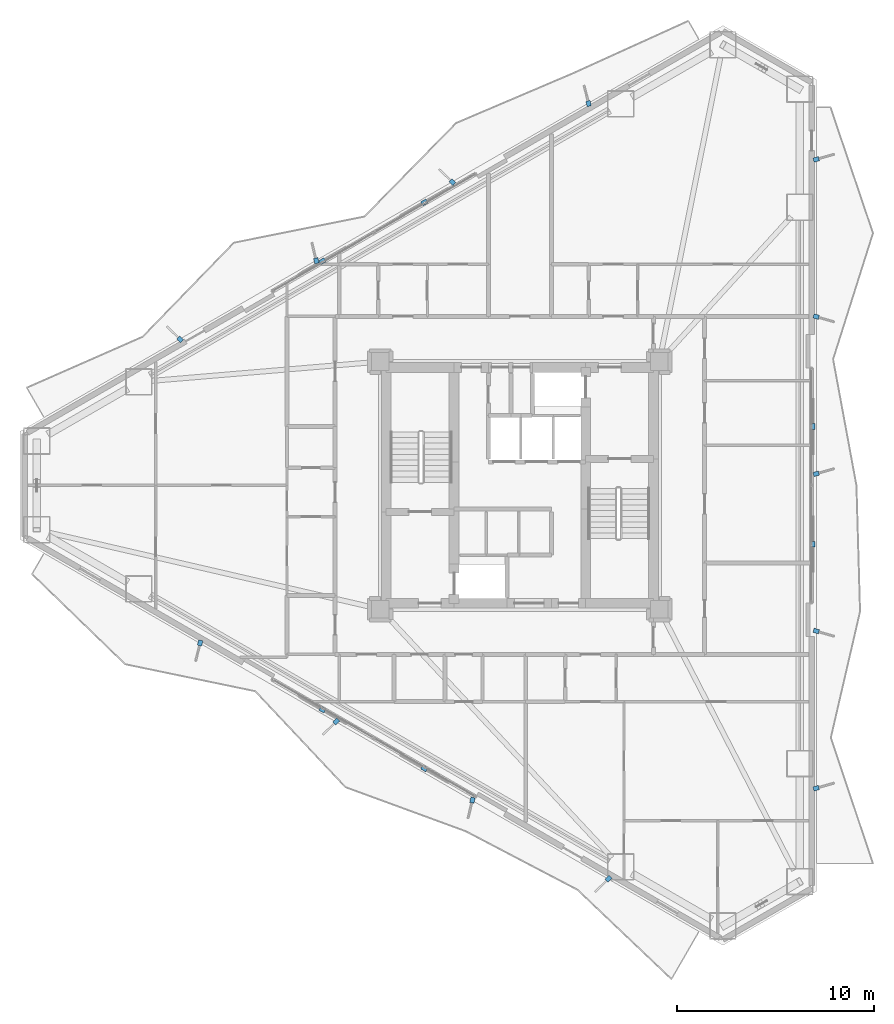
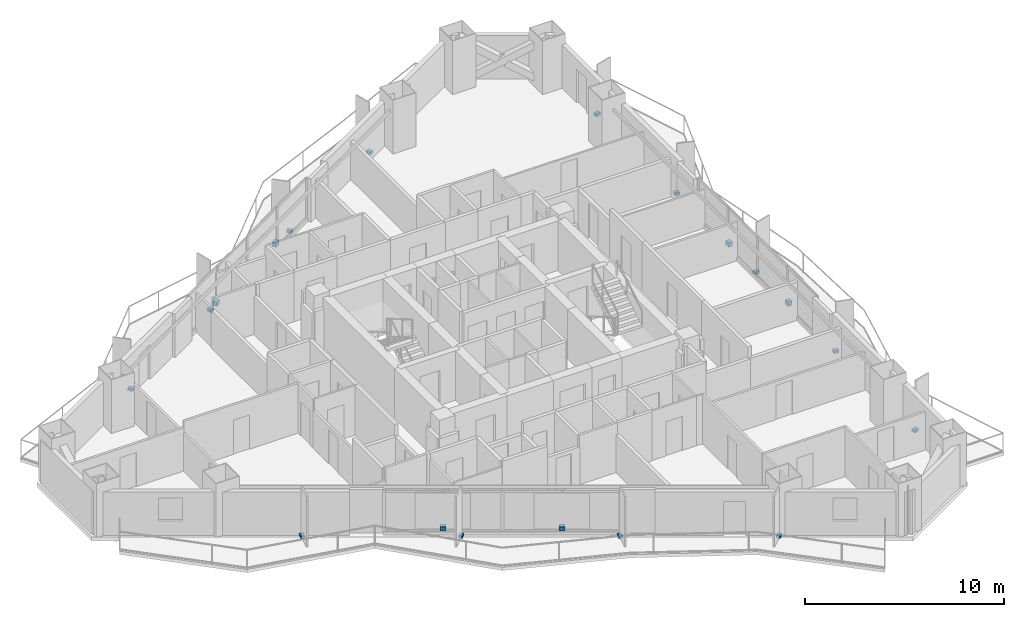
# One storey, part 17 of 19: 19 discrete accessories.
"""IFC4 building model written with IfcOpenShell, lengths in metres."""

from ifc_helpers import new_model, si_unit, direction, frame, origin, origin_2d, place, context, subcontext, project, spatial, rectangle, extrude, material, layer, layer_set, type_object, element, save


model = new_model("IFC4")

# Units and contexts
model_context = context("Model", 3, precision=1e-05, world=origin(), true_north=direction((0.0, 1.0)))
body_context = subcontext(model_context, "Body", "Model", "MODEL_VIEW")
ifc_project = project(units=[si_unit("LENGTHUNIT", "METRE"), si_unit("AREAUNIT", "SQUARE_METRE"), si_unit("VOLUMEUNIT", "CUBIC_METRE"), si_unit("PLANEANGLEUNIT", "RADIAN"), si_unit("MASSUNIT", "GRAM", prefix="KILO")], contexts=[model_context])

# Site, building, storey
site_placement = place(None, origin())
site = spatial("IfcSite", under=ifc_project, at=site_placement, CompositionType="ELEMENT")
building_placement = place(site_placement, origin())
building = spatial("IfcBuilding", under=site, at=building_placement, Name="Mersakhor Tower and Convention Hall", CompositionType="ELEMENT")
storey_placement = place(building_placement, frame((0.0, 0.0, 45.60009765625)))
storey = spatial("IfcBuildingStorey", under=building, at=storey_placement, Name="L12", CompositionType="ELEMENT", Elevation=45.60009765625)

# Discrete accessories
ifc_material = material(Name="Galvanised steel bracket", Category="steel")
ifc_layer = layer(ifc_material, 0.02001953125)
ifc_layer_set = layer_set([ifc_layer], Name="Galvanised steel bracket")
discrete_accessory_type = type_object("IfcDiscreteAccessoryType", Name="ACC-BRK-STL", PredefinedType="BRACKET", material=ifc_layer_set)
for number, where, z_axis, x_axis, name in (
    (1, (18.957763671875, 38.156982421875, 0.2900390625), (0.0, 0.0, 1.0), (0.866025403784, 0.5, 0.0), "L12 Solar Screen Outrigger Bracket BRK-1-1"),
    (2, (24.142333984375, 41.150390625, 0.2900390625), (0.0, 0.0, 1.0), (0.866025403784, 0.5, 0.0), "L12 Solar Screen Outrigger Bracket BRK-1-2"),
):
    element("IfcDiscreteAccessory", number, at=place(storey_placement, frame(where, z_axis=z_axis, x_axis=x_axis)), inside=storey, type_object=discrete_accessory_type, Name=name, PredefinedType="BRACKET", context=body_context, shape_type="SweptSolid", body=[
        extrude(rectangle(XDim=0.300048828125, YDim=0.239990234375, at=origin_2d()), origin(), (0.0, 0.0, 1.0), 0.260009765625),
    ])
for number, where, z_axis, x_axis, name in (
    (3, (11.713623046875, 34.1826171875, -0.02001953125), (0.0, 0.0, 1.0), (-0.719339800339, 0.694658370459, 0.0), "L12 Facade Fin Base Cleat Bracket FBRK-1-1"),
    (4, (18.641845703125, 38.1826171875, -0.02001953125), (0.0, 0.0, 1.0), (-0.2419218956, 0.970295726276, 0.0), "L12 Facade Fin Base Cleat Bracket FBRK-1-2"),
    (5, (25.570068359375, 42.1826171875, -0.02001953125), (0.0, 0.0, 1.0), (-0.719339800339, 0.694658370459, 0.0), "L12 Facade Fin Base Cleat Bracket FBRK-1-3"),
    (6, (32.498291015625, 46.1826171875, -0.02001953125), (0.0, 0.0, 1.0), (-0.2419218956, 0.970295726276, 0.0), "L12 Facade Fin Base Cleat Bracket FBRK-1-4"),
):
    element("IfcDiscreteAccessory", number, at=place(storey_placement, frame(where, z_axis=z_axis, x_axis=x_axis)), inside=storey, type_object=discrete_accessory_type, Name=name, PredefinedType="BRACKET", context=body_context, shape_type="SweptSolid", body=[
        extrude(rectangle(XDim=0.280029296875, YDim=0.219970703125, at=origin_2d()), origin(), (0.0, 0.0, 1.0), 0.159912109375),
    ])
for number, where, z_axis, x_axis, name in (
    (7, (43.89990234375, 29.743408203125, 0.2900390625), (0.0, 0.0, 1.0), (0.0, -1.0, 0.0), "L12 Solar Screen Outrigger Bracket BRK-2-1"),
    (8, (43.89990234375, 23.756591796875, 0.2900390625), (0.0, 0.0, 1.0), (0.0, -1.0, 0.0), "L12 Solar Screen Outrigger Bracket BRK-2-2"),
):
    element("IfcDiscreteAccessory", number, at=place(storey_placement, frame(where, z_axis=z_axis, x_axis=x_axis)), inside=storey, type_object=discrete_accessory_type, Name=name, PredefinedType="BRACKET", context=body_context, shape_type="SweptSolid", body=[
        extrude(rectangle(XDim=0.300048828125, YDim=0.239990234375, at=origin_2d()), origin(), (0.0, 0.0, 1.0), 0.260009765625),
    ])
for number, where, z_axis, x_axis, name in (
    (9, (44.080078125, 43.33740234375, -0.02001953125), (0.0, 0.0, 1.0), (0.961261695938, 0.275637355817, 0.0), "L12 Facade Fin Base Cleat Bracket FBRK-2-1"),
    (10, (44.080078125, 35.33740234375, -0.02001953125), (0.0, 0.0, 1.0), (0.961261695938, -0.275637355817, 0.0), "L12 Facade Fin Base Cleat Bracket FBRK-2-2"),
    (11, (44.080078125, 27.33740234375, -0.02001953125), (0.0, 0.0, 1.0), (0.961261695938, 0.275637355817, 0.0), "L12 Facade Fin Base Cleat Bracket FBRK-2-3"),
    (12, (44.080078125, 19.33740234375, -0.02001953125), (0.0, 0.0, 1.0), (0.961261695938, -0.275637355817, 0.0), "L12 Facade Fin Base Cleat Bracket FBRK-2-4"),
    (13, (44.080078125, 11.33740234375, -0.02001953125), (0.0, 0.0, 1.0), (0.961261695938, 0.275637355817, 0.0), "L12 Facade Fin Base Cleat Bracket FBRK-2-5"),
):
    element("IfcDiscreteAccessory", number, at=place(storey_placement, frame(where, z_axis=z_axis, x_axis=x_axis)), inside=storey, type_object=discrete_accessory_type, Name=name, PredefinedType="BRACKET", context=body_context, shape_type="SweptSolid", body=[
        extrude(rectangle(XDim=0.280029296875, YDim=0.219970703125, at=origin_2d()), origin(), (0.0, 0.0, 1.0), 0.159912109375),
    ])
for number, where, z_axis, x_axis, name in (
    (14, (24.14208984375, 12.349609375, 0.2900390625), (0.0, 0.0, 1.0), (-0.866025403784, 0.5, 0.0), "L12 Solar Screen Outrigger Bracket BRK-3-1"),
    (15, (18.957763671875, 15.3427734375, 0.2900390625), (0.0, 0.0, 1.0), (-0.866025403784, 0.5, 0.0), "L12 Solar Screen Outrigger Bracket BRK-3-2"),
):
    element("IfcDiscreteAccessory", number, at=place(storey_placement, frame(where, z_axis=z_axis, x_axis=x_axis)), inside=storey, type_object=discrete_accessory_type, Name=name, PredefinedType="BRACKET", context=body_context, shape_type="SweptSolid", body=[
        extrude(rectangle(XDim=0.300048828125, YDim=0.239990234375, at=origin_2d()), origin(), (0.0, 0.0, 1.0), 0.260009765625),
    ])
for number, where, z_axis, x_axis, name in (
    (16, (33.515625, 6.72998046875, -0.02001953125), (0.0, 0.0, 1.0), (-0.719339800339, -0.694658370459, 0.0), "L12 Facade Fin Base Cleat Bracket FBRK-3-1"),
    (17, (26.58740234375, 10.72998046875, -0.02001953125), (0.0, 0.0, 1.0), (-0.2419218956, -0.970295726276, 0.0), "L12 Facade Fin Base Cleat Bracket FBRK-3-2"),
    (18, (19.6591796875, 14.72998046875, -0.02001953125), (0.0, 0.0, 1.0), (-0.719339800339, -0.694658370459, 0.0), "L12 Facade Fin Base Cleat Bracket FBRK-3-3"),
    (19, (12.73095703125, 18.72998046875, -0.02001953125), (0.0, 0.0, 1.0), (-0.2419218956, -0.970295726276, 0.0), "L12 Facade Fin Base Cleat Bracket FBRK-3-4"),
):
    element("IfcDiscreteAccessory", number, at=place(storey_placement, frame(where, z_axis=z_axis, x_axis=x_axis)), inside=storey, type_object=discrete_accessory_type, Name=name, PredefinedType="BRACKET", context=body_context, shape_type="SweptSolid", body=[
        extrude(rectangle(XDim=0.280029296875, YDim=0.219970703125, at=origin_2d()), origin(), (0.0, 0.0, 1.0), 0.159912109375),
    ])

save(model, "model.ifc")
